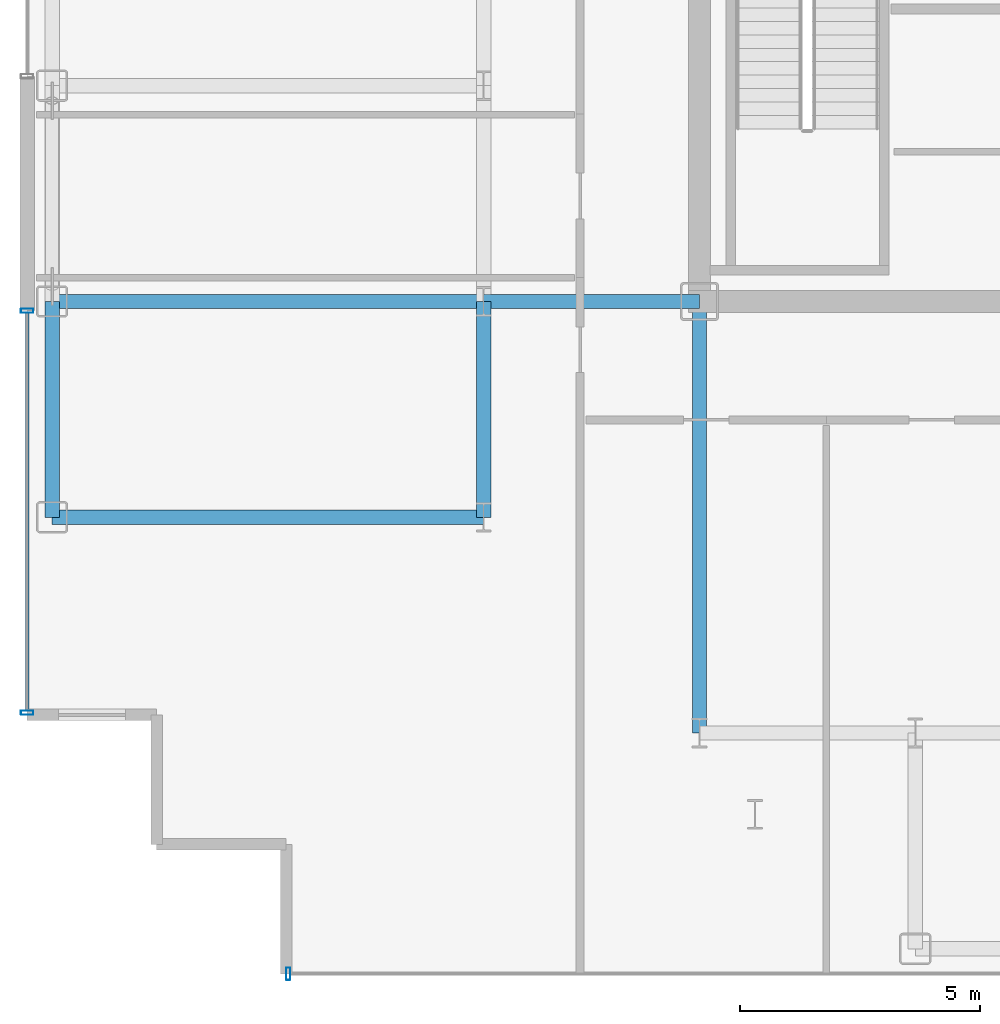
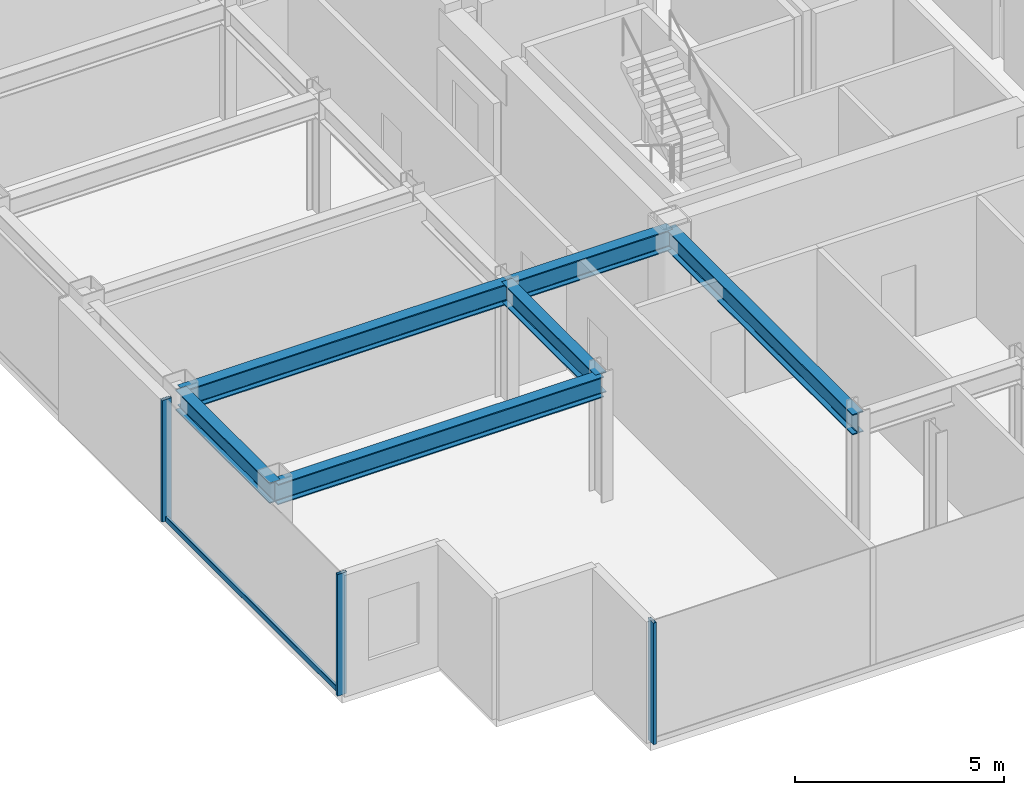
# One storey, part 2 of 16: 6 beams, 4 members, 2 elements without a shape of their own.
"""IFC4 building model written with IfcOpenShell, lengths in metres."""

from ifc_helpers import new_model, si_unit, direction, frame, origin, origin_2d, place, context, subcontext, project, spatial, hollow_rectangle, i_section, extrude, source, transform, mapped, material, layer, layer_set, material_profile, profile_set, type_object, element, aggregate, save


model = new_model("IFC4")

# Units and contexts
model_context = context("Model", 3, precision=1e-05, world=origin(), true_north=direction((0.0, 1.0)))
body_context = subcontext(model_context, "Body", "Model", "MODEL_VIEW")
ifc_project = project(units=[si_unit("LENGTHUNIT", "METRE"), si_unit("AREAUNIT", "SQUARE_METRE"), si_unit("VOLUMEUNIT", "CUBIC_METRE"), si_unit("PLANEANGLEUNIT", "RADIAN"), si_unit("MASSUNIT", "GRAM", prefix="KILO")], contexts=[model_context])

# Site, building, storey
site_placement = place(None, origin())
site = spatial("IfcSite", under=ifc_project, at=site_placement, CompositionType="ELEMENT")
building_placement = place(site_placement, origin())
building = spatial("IfcBuilding", under=site, at=building_placement, Name="Nefas-Gora Pilgrimage Tower", CompositionType="ELEMENT")
storey_placement = place(building_placement, frame((0.0, 0.0, 276.0)))
storey = spatial("IfcBuildingStorey", under=building, at=storey_placement, Name="L69", CompositionType="ELEMENT", Elevation=276.0)

# Beams
ifc_material_1 = material(Name="Steel S355", Category="steel")
ifc_material_profile_1 = material_profile(ifc_material_1, i_section(OverallWidth=0.300048828125, OverallDepth=0.60009765625, WebThickness=0.015380859375, FlangeThickness=0.030029296875, FilletRadius=0.027099609375, at=origin_2d()), Name="HEB 600")
ifc_profile_set_1 = profile_set([ifc_material_profile_1], Name="Steel S355")
beam_type_1 = type_object("IfcBeamType", Name="BM-SPN-HEB450", PredefinedType="SPANDREL", material=ifc_profile_set_1)
shared_shape_1 = source(origin(), body_context, "Body", "SweptSolid", [
    extrude(i_section(OverallWidth=0.300048828125, OverallDepth=0.60009765625, WebThickness=0.015380859375, FlangeThickness=0.030029296875, FilletRadius=0.027099609375, at=origin_2d()), origin(), (0.0, 0.0, 1.0), 4.5),
])
beam_placement = place(storey_placement, frame((-24.75, -13.5, 3.25), z_axis=(0.0, 1.0, 0.0), x_axis=(-1.0, 0.0, 0.0)))
element("IfcBeam", 1, at=beam_placement, inside=storey, type_object=beam_type_1, Name="L69 SP-03 beam", PredefinedType="SPANDREL", context=body_context, shape_type="MappedRepresentation", body=[
    mapped(shared_shape_1, transform((0.0, 0.0, 0.0), x_axis=(1.0, 0.0, 0.0), y_axis=(0.0, 1.0, 0.0), z_axis=(0.0, 0.0, 1.0), scale=1.0)),
])
ifc_material_profile_2 = material_profile(ifc_material_1, i_section(OverallWidth=0.300048828125, OverallDepth=0.60009765625, WebThickness=0.015380859375, FlangeThickness=0.030029296875, FilletRadius=0.027099609375, at=origin_2d()), Name="HEB 600")
ifc_profile_set_2 = profile_set([ifc_material_profile_2], Name="Steel S355")
beam_type_2 = type_object("IfcBeamType", Name="BM-GIR-HEB600", PredefinedType="BEAM", material=ifc_profile_set_2)
shared_shape_2 = source(origin(), body_context, "Body", "SweptSolid", [
    extrude(i_section(OverallWidth=0.300048828125, OverallDepth=0.60009765625, WebThickness=0.015380859375, FlangeThickness=0.030029296875, FilletRadius=0.027099609375, at=origin_2d()), origin(), (0.0, 0.0, 1.0), 9.0),
])
for number, where, z_axis, x_axis, name in (
    (2, (-24.75, -13.5, 3.25), (1.0, 0.0, 0.0), (0.0, 1.0, 0.0), "L69 G-04 beam"),
    (3, (-24.75, -9.0, 3.25), (1.0, 0.0, 0.0), (0.0, 1.0, 0.0), "L69 G-04 beam"),
    (4, (-11.25, -18.0, 3.25), (0.0, 1.0, 0.0), (-1.0, 0.0, 0.0), "L69 G-04 beam"),
):
    element("IfcBeam", number, at=place(storey_placement, frame(where, z_axis=z_axis, x_axis=x_axis)), inside=storey, type_object=beam_type_2, Name=name, PredefinedType="BEAM", context=body_context, shape_type="MappedRepresentation", body=[
        mapped(shared_shape_2, transform((0.0, 0.0, 0.0), x_axis=(1.0, 0.0, 0.0), y_axis=(0.0, 1.0, 0.0), z_axis=(0.0, 0.0, 1.0), scale=1.0)),
    ])
shared_shape_3 = source(origin(), body_context, "Body", "SweptSolid", [
    extrude(i_section(OverallWidth=0.300048828125, OverallDepth=0.60009765625, WebThickness=0.015380859375, FlangeThickness=0.030029296875, FilletRadius=0.027099609375, at=origin_2d()), origin(), (0.0, 0.0, 1.0), 4.5),
])
for number, where, z_axis, x_axis, name in (
    (5, (-15.75, -13.5, 3.25), (0.0, 1.0, 0.0), (-1.0, 0.0, 0.0), "L69 G-04 beam"),
    (6, (-15.75, -9.0, 3.25), (1.0, 0.0, 0.0), (0.0, 1.0, 0.0), "L69 G-04 beam"),
):
    element("IfcBeam", number, at=place(storey_placement, frame(where, z_axis=z_axis, x_axis=x_axis)), inside=storey, type_object=beam_type_2, Name=name, PredefinedType="BEAM", context=body_context, shape_type="MappedRepresentation", body=[
        mapped(shared_shape_3, transform((0.0, 0.0, 0.0), x_axis=(1.0, 0.0, 0.0), y_axis=(0.0, 1.0, 0.0), z_axis=(0.0, 0.0, 1.0), scale=1.0)),
    ])

# Curtain wall, members
ifc_material_2 = material(Name="Dark ceramic-fritted solar-control aluminium-glass curtain wall", Category="aluminium")
ifc_layer = layer(ifc_material_2, 0.219970703125)
ifc_layer_set = layer_set([ifc_layer], Name="Dark ceramic-fritted solar-control aluminium-glass curtain wall")
curtain_wall_type = type_object("IfcCurtainWallType", Name="CW-SYS-4", PredefinedType="NOTDEFINED", material=ifc_layer_set)
curtain_wall_1_placement = place(storey_placement, origin())
curtain_wall_1 = element("IfcCurtainWall", 7, at=curtain_wall_1_placement, inside=storey, type_object=curtain_wall_type, Name="L69 Unitised Curtain Wall CW4", PredefinedType="NOTDEFINED")
ifc_material_3 = material(Name="Anodised architectural aluminium", Category="aluminium")
ifc_material_profile_3 = material_profile(ifc_material_3, hollow_rectangle(XDim=0.080078125, YDim=0.159912109375, WallThickness=0.00439453125, InnerFilletRadius=0.00439453125, OuterFilletRadius=0.009033203125, at=origin_2d()), Name="ALU TRANSOM 80x160")
ifc_profile_set_3 = profile_set([ifc_material_profile_3], Name="Anodised architectural aluminium")
member_type_1 = type_object("IfcMemberType", Name="CWM-TRN-4", PredefinedType="USERDEFINED", material=ifc_profile_set_3)
shared_shape_4 = source(origin(), body_context, "Body", "SweptSolid", [
    extrude(hollow_rectangle(XDim=0.080078125, YDim=0.159912109375, WallThickness=0.00439453125, InnerFilletRadius=0.00439453125, OuterFilletRadius=0.009033203125, at=origin_2d()), origin(), (0.0, 0.0, 1.0), 8.2900390625),
])
member_1_placement = place(storey_placement, frame((-25.27001953125, -9.239990234375, 0.050048828125), z_axis=(0.0, -1.0, 0.0), x_axis=(1.0, 0.0, 0.0)))
member_1 = element("IfcMember", 8, at=member_1_placement, type_object=member_type_1, Name="CW4 Spandrel Transom", ObjectType="TRANSOM", PredefinedType="USERDEFINED", context=body_context, shape_type="MappedRepresentation", body=[
    mapped(shared_shape_4, transform((0.0, 0.0, 0.0), x_axis=(1.0, 0.0, 0.0), y_axis=(0.0, 1.0, 0.0), z_axis=(0.0, 0.0, 1.0), scale=1.0)),
])
ifc_material_profile_4 = material_profile(ifc_material_3, hollow_rectangle(XDim=0.090087890625, YDim=0.260009765625, WallThickness=0.006103515625, InnerFilletRadius=0.006103515625, OuterFilletRadius=0.011962890625, at=origin_2d()), Name="ALU MULLION 90x260")
ifc_profile_set_4 = profile_set([ifc_material_profile_4], Name="Anodised architectural aluminium")
member_type_2 = type_object("IfcMemberType", Name="CWM-MUL-4", PredefinedType="MULLION", material=ifc_profile_set_4)
shared_shape_5 = source(origin(), body_context, "Body", "SweptSolid", [
    extrude(hollow_rectangle(XDim=0.090087890625, YDim=0.260009765625, WallThickness=0.006103515625, InnerFilletRadius=0.006103515625, OuterFilletRadius=0.011962890625, at=origin_2d()), origin(), (0.0, 0.0, 1.0), 3.550048828125),
])
member_2_placement = place(storey_placement, frame((-25.27001953125, -9.195068359375, 0.0), z_axis=(0.0, 0.0, 1.0), x_axis=(0.0, -1.0, 0.0)))
member_2 = element("IfcMember", 9, at=member_2_placement, type_object=member_type_2, Name="CW4 Mullion 1", PredefinedType="MULLION", context=body_context, shape_type="MappedRepresentation", body=[
    mapped(shared_shape_5, transform((0.0, 0.0, 0.0), x_axis=(1.0, 0.0, 0.0), y_axis=(0.0, 1.0, 0.0), z_axis=(0.0, 0.0, 1.0), scale=1.0)),
])
member_3_placement = place(storey_placement, frame((-25.27001953125, -17.574951171875, 0.0), z_axis=(0.0, 0.0, 1.0), x_axis=(0.0, -1.0, 0.0)))
member_3 = element("IfcMember", 10, at=member_3_placement, type_object=member_type_2, Name="CW4 Mullion 2", PredefinedType="MULLION", context=body_context, shape_type="MappedRepresentation", body=[
    mapped(shared_shape_5, transform((0.0, 0.0, 0.0), x_axis=(1.0, 0.0, 0.0), y_axis=(0.0, 1.0, 0.0), z_axis=(0.0, 0.0, 1.0), scale=1.0)),
])
aggregate(curtain_wall_1, [member_2, member_3, member_1])

# Curtain wall, member
curtain_wall_2_placement = place(storey_placement, origin())
curtain_wall_2 = element("IfcCurtainWall", 11, at=curtain_wall_2_placement, inside=storey, type_object=curtain_wall_type, Name="L69 Unitised Curtain Wall CW4", PredefinedType="NOTDEFINED")
member_4_placement = place(storey_placement, frame((-19.824951171875, -23.02001953125, 0.0), z_axis=(0.0, 0.0, 1.0), x_axis=(1.0, 0.0, 0.0)))
member_4 = element("IfcMember", 12, at=member_4_placement, type_object=member_type_2, Name="CW4 Mullion 1", PredefinedType="MULLION", context=body_context, shape_type="MappedRepresentation", body=[
    mapped(shared_shape_5, transform((0.0, 0.0, 0.0), x_axis=(1.0, 0.0, 0.0), y_axis=(0.0, 1.0, 0.0), z_axis=(0.0, 0.0, 1.0), scale=1.0)),
])
aggregate(curtain_wall_2, [member_4])

save(model, "model.ifc")
